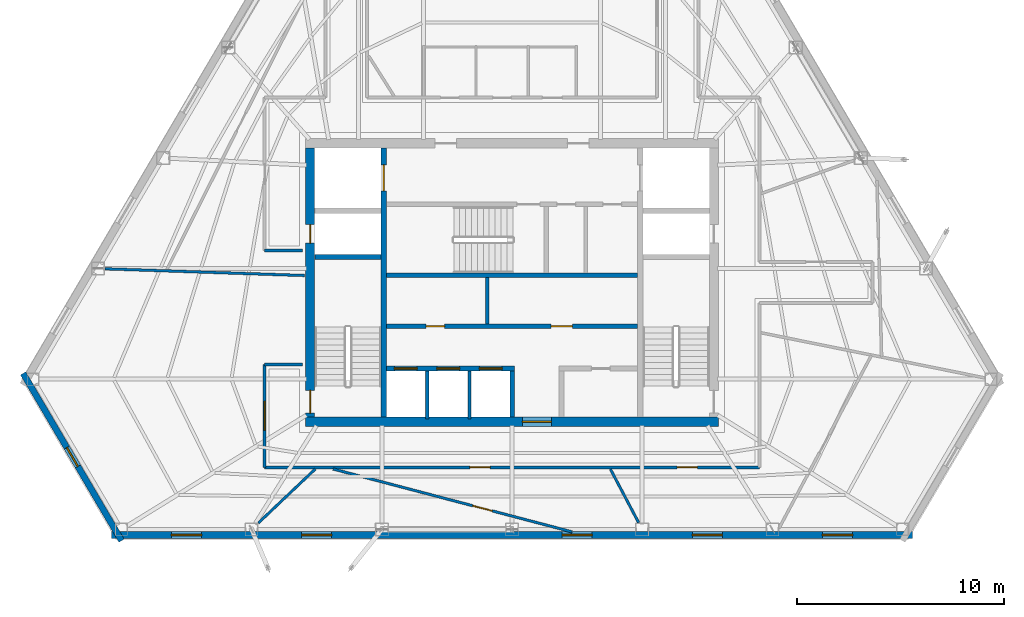
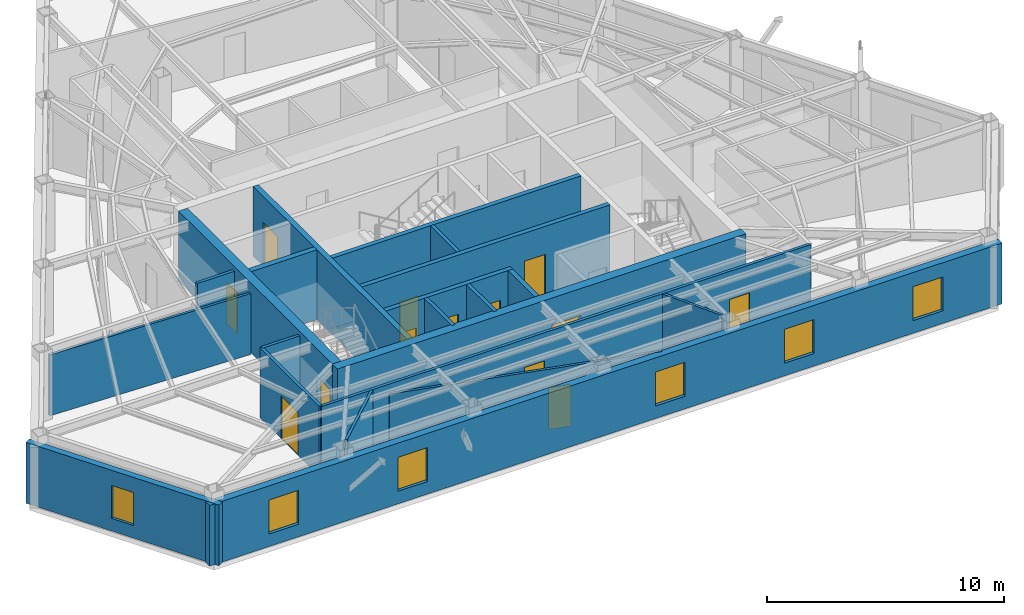
# One storey, part 7 of 12: 21 walls, 13 doors, 6 windows, 19 openings.
"""IFC4 building model written with IfcOpenShell, lengths in metres."""

from ifc_helpers import new_model, si_unit, direction, frame, frame_2d, origin, place, context, subcontext, project, spatial, rectangle, extrude, material, layer, layer_set, type_object, element, fill, save


model = new_model("IFC4")

# Units and contexts
model_context = context("Model", 3, precision=1e-05, world=origin(), true_north=direction((0.0, 1.0)))
body_context = subcontext(model_context, "Body", "Model", "MODEL_VIEW")
ifc_project = project(units=[si_unit("LENGTHUNIT", "METRE"), si_unit("AREAUNIT", "SQUARE_METRE"), si_unit("VOLUMEUNIT", "CUBIC_METRE"), si_unit("PLANEANGLEUNIT", "RADIAN"), si_unit("MASSUNIT", "GRAM", prefix="KILO")], contexts=[model_context])

# Site, building, storey
site_placement = place(None, origin())
site = spatial("IfcSite", under=ifc_project, at=site_placement, CompositionType="ELEMENT")
building_placement = place(site_placement, origin())
building = spatial("IfcBuilding", under=site, at=building_placement, Name="Kavelnor Concourse Tower", CompositionType="ELEMENT")
storey_placement = place(building_placement, frame((0.0, 0.0, 203.5)))
storey = spatial("IfcBuildingStorey", under=building, at=storey_placement, Name="L51", CompositionType="ELEMENT", Elevation=203.5)

# Wall, opening, door
ifc_material_1 = material(Name="Concrete C50/60", Category="concrete")
ifc_layer_1 = layer(ifc_material_1, 0.43994140625, Name="Concrete C50/60")
ifc_layer_set_1 = layer_set([ifc_layer_1], Name="Concrete C50/60")
wall_type_1 = type_object("IfcWallType", Name="WL-CORE-Z3-440", PredefinedType="SOLIDWALL", material=ifc_layer_set_1)
wall_1_placement = place(storey_placement, frame((28.0400390625, 9.3798828125, 0.0), z_axis=(0.0, 0.0, 1.0), x_axis=(1.0, 0.0, 0.0)))
wall_1 = element("IfcWall", 1, at=wall_1_placement, inside=storey, type_object=wall_type_1, Name="L51 Central Core South Shear Wall", PredefinedType="SOLIDWALL", context=body_context, shape_type="SweptSolid", body=[
    extrude(rectangle(XDim=19.919921875, YDim=0.43994140625, at=frame_2d((9.9599609375, 0.0))), origin(), (0.0, 0.0, 1.0), 3.60009765625),
])
opening_1_placement = place(wall_1_placement, frame((10.4599609375, 0.0, 0.0)))
opening_1 = element("IfcOpeningElement", 2, at=opening_1_placement, cuts=wall_1, Name="Opening SD-140", PredefinedType="OPENING", context=body_context, shape_type="SweptSolid", body=[
    extrude(rectangle(XDim=1.39990234375, YDim=2.199951171875, at=frame_2d((0.699951171875, 1.10009765625))), frame((0.0, 0.22998046875, 0.0), z_axis=(0.0, -1.0, 0.0), x_axis=(1.0, 0.0, 0.0)), (0.0, 0.0, 1.0), 0.4599609375),
])
ifc_material_2 = material(Name="Solid-core hardwood timber", Category="wood")
door_type_1 = type_object("IfcDoorType", Name="DR-SUITE-ENTRY-1400", OperationType="NOTDEFINED", PredefinedType="DOOR", material=ifc_material_2)
door_1_placement = place(opening_1_placement, origin())
door_1 = element("IfcDoor", 3, at=door_1_placement, inside=storey, type_object=door_type_1, Name="L51 Passenger Lift Lobby Entry Door", OperationType="SINGLE_SWING_RIGHT", OverallHeight=2.199951171875, OverallWidth=1.39990234375, PredefinedType="DOOR", context=body_context, shape_type="SweptSolid", body=[
    extrude(rectangle(XDim=1.39990234375, YDim=2.199951171875, at=frame_2d((0.699951171875, 1.10009765625))), frame((0.0, 0.02490234375, 0.0), z_axis=(0.0, -1.0, 0.0), x_axis=(1.0, 0.0, 0.0)), (0.0, 0.0, 1.0), 0.050048828125),
])
fill(opening_1, door_1)

# Wall, openings, doors
wall_2_placement = place(storey_placement, frame((28.260009765625, 9.60009765625, 0.0), z_axis=(0.0, 0.0, 1.0), x_axis=(0.0, 1.0, 0.0)))
wall_2 = element("IfcWall", 4, at=wall_2_placement, inside=storey, type_object=wall_type_1, Name="L51 Central Core West Shear Wall", PredefinedType="SOLIDWALL", context=body_context, shape_type="SweptSolid", body=[
    extrude(rectangle(XDim=13.0, YDim=0.43994140625, at=frame_2d((6.5, 0.0))), origin(), (0.0, 0.0, 1.0), 3.60009765625),
])
opening_2_placement = place(wall_2_placement, frame((0.199951171875, 0.0, 0.0)))
opening_2 = element("IfcOpeningElement", 5, at=opening_2_placement, cuts=wall_2, Name="Opening FD-110", PredefinedType="OPENING", context=body_context, shape_type="SweptSolid", body=[
    extrude(rectangle(XDim=1.10009765625, YDim=2.14990234375, at=frame_2d((0.550048828125, 1.074951171875))), frame((0.0, 0.22998046875, 0.0), z_axis=(0.0, -1.0, 0.0), x_axis=(1.0, 0.0, 0.0)), (0.0, 0.0, 1.0), 0.4599609375),
])
opening_3_placement = place(wall_2_placement, frame((8.39990234375, 0.0, 0.0)))
opening_3 = element("IfcOpeningElement", 6, at=opening_3_placement, cuts=wall_2, Name="Opening FD-090", PredefinedType="OPENING", context=body_context, shape_type="SweptSolid", body=[
    extrude(rectangle(XDim=0.89990234375, YDim=2.10009765625, at=frame_2d((0.449951171875, 1.050048828125))), frame((0.0, 0.22998046875, 0.0), z_axis=(0.0, -1.0, 0.0), x_axis=(1.0, 0.0, 0.0)), (0.0, 0.0, 1.0), 0.4599609375),
])
ifc_material_3 = material(Name="Steel Grade 350", Category="steel")
door_type_2 = type_object("IfcDoorType", Name="DR-RISER-FIRE-900", OperationType="NOTDEFINED", PredefinedType="DOOR", material=ifc_material_3)
door_2_placement = place(opening_3_placement, origin())
door_2 = element("IfcDoor", 7, at=door_2_placement, inside=storey, type_object=door_type_2, Name="L51 West Riser Access Door", OperationType="SINGLE_SWING_RIGHT", OverallHeight=2.10009765625, OverallWidth=0.89990234375, PredefinedType="DOOR", context=body_context, shape_type="SweptSolid", body=[
    extrude(rectangle(XDim=0.89990234375, YDim=2.10009765625, at=frame_2d((0.449951171875, 1.050048828125))), frame((0.0, 0.02490234375, 0.0), z_axis=(0.0, -1.0, 0.0), x_axis=(1.0, 0.0, 0.0)), (0.0, 0.0, 1.0), 0.050048828125),
])
fill(opening_3, door_2)
door_type_3 = type_object("IfcDoorType", Name="DR-STAIR-FIRE-1100", OperationType="NOTDEFINED", PredefinedType="DOOR", material=ifc_material_3)
door_3_placement = place(opening_2_placement, origin())
door_3 = element("IfcDoor", 8, at=door_3_placement, inside=storey, type_object=door_type_3, Name="L51 Stair ST1 Fire Door", OperationType="SINGLE_SWING_LEFT", OverallHeight=2.14990234375, OverallWidth=1.10009765625, PredefinedType="DOOR", context=body_context, shape_type="SweptSolid", body=[
    extrude(rectangle(XDim=1.10009765625, YDim=2.14990234375, at=frame_2d((0.550048828125, 1.074951171875))), frame((0.0, 0.02490234375, 0.0), z_axis=(0.0, -1.0, 0.0), x_axis=(1.0, 0.0, 0.0)), (0.0, 0.0, 1.0), 0.050048828125),
])
fill(opening_2, door_3)

# Wall, opening, window
ifc_material_4 = material(Name="Buff ironspot clay face brick masonry", Category="masonry")
ifc_layer_2 = layer(ifc_material_4, 0.300048828125, Name="Buff ironspot clay face brick masonry")
ifc_layer_set_2 = layer_set([ifc_layer_2], Name="Buff ironspot clay face brick masonry")
wall_type_2 = type_object("IfcWallType", Name="WL-EXT-BUFF-BRICK-FOLD-300", PredefinedType="STANDARD", material=ifc_layer_set_2)
wall_3_placement = place(storey_placement, frame((19.156982421875, 3.639404296875, 0.0), z_axis=(0.0, 0.0, 1.0), x_axis=(-0.507146520789, 0.861859853138, 0.0)))
wall_3 = element("IfcWall", 9, at=wall_3_placement, inside=storey, type_object=wall_type_2, Name="L51 Exterior Brick Facade Wall E2", PredefinedType="STANDARD", context=body_context, shape_type="SweptSolid", body=[
    extrude(rectangle(XDim=9.369384765625, YDim=0.300048828125, at=frame_2d((4.6845703125, 0.0))), origin(), (0.0, 0.0, 1.0), 3.132080078125),
])
opening_4_placement = place(wall_3_placement, frame((4.159912109375, 0.0, 0.64990234375)))
opening_4 = element("IfcOpeningElement", 10, at=opening_4_placement, cuts=wall_3, Name="Opening W-06", PredefinedType="OPENING", context=body_context, shape_type="SweptSolid", body=[
    extrude(rectangle(XDim=1.050048828125, YDim=1.699951171875, at=frame_2d((0.52490234375, 0.85009765625))), frame((0.0, 0.16015625, 0.0), z_axis=(0.0, -1.0, 0.0), x_axis=(1.0, 0.0, 0.0)), (0.0, 0.0, 1.0), 0.320068359375),
])
ifc_material_5 = material(Name="Double low-E argon insulated glazing", Category="glass")
window_type_1 = type_object("IfcWindowType", Name="WIN-FOLD-1050", PartitioningType="SINGLE_PANEL", PredefinedType="WINDOW", material=ifc_material_5)
window_1_placement = place(opening_4_placement, origin())
window_1 = element("IfcWindow", 11, at=window_1_placement, inside=storey, type_object=window_type_1, Name="L51 Chamfer-Fold Facet Window C1", OverallHeight=1.699951171875, OverallWidth=1.050048828125, PartitioningType="SINGLE_PANEL", PredefinedType="WINDOW", context=body_context, shape_type="SweptSolid", body=[
    extrude(rectangle(XDim=1.050048828125, YDim=1.699951171875, at=frame_2d((0.52490234375, 0.85009765625))), frame((0.0, 0.030029296875, 0.0), z_axis=(0.0, -1.0, 0.0), x_axis=(1.0, 0.0, 0.0)), (0.0, 0.0, 1.0), 0.06005859375),
])
fill(opening_4, window_1)

# Wall, openings, windows
ifc_material_6 = material(Name="Red-ochre clay face brick masonry", Category="masonry")
ifc_layer_3 = layer(ifc_material_6, 0.35009765625, Name="Red-ochre clay face brick masonry")
ifc_layer_set_3 = layer_set([ifc_layer_3], Name="Red-ochre clay face brick masonry")
wall_type_3 = type_object("IfcWallType", Name="WL-EXT-RED-BRICK-PIER-350", PredefinedType="STANDARD", material=ifc_layer_set_3)
wall_4_placement = place(storey_placement, frame((57.325439453125, 3.915283203125, 0.0), z_axis=(0.0, 0.0, 1.0), x_axis=(-1.0, 0.0, 0.0)))
wall_4 = element("IfcWall", 12, at=wall_4_placement, inside=storey, type_object=wall_type_3, Name="L51 Exterior Brick Facade Wall E3", PredefinedType="STANDARD", context=body_context, shape_type="SweptSolid", body=[
    extrude(rectangle(XDim=38.65087890625, YDim=0.35009765625, at=frame_2d((19.325439453125, 0.0))), origin(), (0.0, 0.0, 1.0), 3.132080078125),
])
opening_5_placement = place(wall_4_placement, frame((34.3095703125, 0.0, 0.64990234375)))
opening_5 = element("IfcOpeningElement", 13, at=opening_5_placement, cuts=wall_4, Name="Opening W-03", PredefinedType="OPENING", context=body_context, shape_type="SweptSolid", body=[
    extrude(rectangle(XDim=1.449951171875, YDim=1.75, at=frame_2d((0.72509765625, 0.875))), frame((0.0, 0.18505859375, 0.0), z_axis=(0.0, -1.0, 0.0), x_axis=(1.0, 0.0, 0.0)), (0.0, 0.0, 1.0), 0.3701171875),
])
opening_6_placement = place(wall_4_placement, frame((28.02587890625, 0.0, 0.64990234375)))
opening_6 = element("IfcOpeningElement", 14, at=opening_6_placement, cuts=wall_4, Name="Opening W-03", PredefinedType="OPENING", context=body_context, shape_type="SweptSolid", body=[
    extrude(rectangle(XDim=1.449951171875, YDim=1.75, at=frame_2d((0.72509765625, 0.875))), frame((0.0, 0.18505859375, 0.0), z_axis=(0.0, -1.0, 0.0), x_axis=(1.0, 0.0, 0.0)), (0.0, 0.0, 1.0), 0.3701171875),
])
opening_7_placement = place(wall_4_placement, frame((15.45849609375, 0.0, 0.64990234375)))
opening_7 = element("IfcOpeningElement", 15, at=opening_7_placement, cuts=wall_4, Name="Opening W-03", PredefinedType="OPENING", context=body_context, shape_type="SweptSolid", body=[
    extrude(rectangle(XDim=1.449951171875, YDim=1.75, at=frame_2d((0.72509765625, 0.875))), frame((0.0, 0.18505859375, 0.0), z_axis=(0.0, -1.0, 0.0), x_axis=(1.0, 0.0, 0.0)), (0.0, 0.0, 1.0), 0.3701171875),
])
opening_8_placement = place(wall_4_placement, frame((9.175048828125, 0.0, 0.64990234375)))
opening_8 = element("IfcOpeningElement", 16, at=opening_8_placement, cuts=wall_4, Name="Opening W-03", PredefinedType="OPENING", context=body_context, shape_type="SweptSolid", body=[
    extrude(rectangle(XDim=1.449951171875, YDim=1.75, at=frame_2d((0.72509765625, 0.875))), frame((0.0, 0.18505859375, 0.0), z_axis=(0.0, -1.0, 0.0), x_axis=(1.0, 0.0, 0.0)), (0.0, 0.0, 1.0), 0.3701171875),
])
opening_9_placement = place(wall_4_placement, frame((2.891357421875, 0.0, 0.64990234375)))
opening_9 = element("IfcOpeningElement", 17, at=opening_9_placement, cuts=wall_4, Name="Opening W-03", PredefinedType="OPENING", context=body_context, shape_type="SweptSolid", body=[
    extrude(rectangle(XDim=1.449951171875, YDim=1.75, at=frame_2d((0.72509765625, 0.875))), frame((0.0, 0.18505859375, 0.0), z_axis=(0.0, -1.0, 0.0), x_axis=(1.0, 0.0, 0.0)), (0.0, 0.0, 1.0), 0.3701171875),
])
window_type_2 = type_object("IfcWindowType", Name="WIN-PIER-Z3-1500", PartitioningType="SINGLE_PANEL", PredefinedType="WINDOW", material=ifc_material_5)
window_2_placement = place(opening_5_placement, origin())
window_2 = element("IfcWindow", 18, at=window_2_placement, inside=storey, type_object=window_type_2, Name="L51 Deep-Set Brick Pier Window F1-B0", OverallHeight=1.75, OverallWidth=1.449951171875, PartitioningType="SINGLE_PANEL", PredefinedType="WINDOW", context=body_context, shape_type="SweptSolid", body=[
    extrude(rectangle(XDim=1.449951171875, YDim=1.75, at=frame_2d((0.72509765625, 0.875))), frame((0.0, 0.030029296875, 0.0), z_axis=(0.0, -1.0, 0.0), x_axis=(1.0, 0.0, 0.0)), (0.0, 0.0, 1.0), 0.06005859375),
])
fill(opening_5, window_2)
window_3_placement = place(opening_6_placement, origin())
window_3 = element("IfcWindow", 19, at=window_3_placement, inside=storey, type_object=window_type_2, Name="L51 Deep-Set Brick Pier Window F1-B1", OverallHeight=1.75, OverallWidth=1.449951171875, PartitioningType="SINGLE_PANEL", PredefinedType="WINDOW", context=body_context, shape_type="SweptSolid", body=[
    extrude(rectangle(XDim=1.449951171875, YDim=1.75, at=frame_2d((0.72509765625, 0.875))), frame((0.0, 0.030029296875, 0.0), z_axis=(0.0, -1.0, 0.0), x_axis=(1.0, 0.0, 0.0)), (0.0, 0.0, 1.0), 0.06005859375),
])
fill(opening_6, window_3)
window_4_placement = place(opening_7_placement, origin())
window_4 = element("IfcWindow", 20, at=window_4_placement, inside=storey, type_object=window_type_2, Name="L51 Deep-Set Brick Pier Window F1-B3", OverallHeight=1.75, OverallWidth=1.449951171875, PartitioningType="SINGLE_PANEL", PredefinedType="WINDOW", context=body_context, shape_type="SweptSolid", body=[
    extrude(rectangle(XDim=1.449951171875, YDim=1.75, at=frame_2d((0.72509765625, 0.875))), frame((0.0, 0.030029296875, 0.0), z_axis=(0.0, -1.0, 0.0), x_axis=(1.0, 0.0, 0.0)), (0.0, 0.0, 1.0), 0.06005859375),
])
fill(opening_7, window_4)
window_5_placement = place(opening_8_placement, origin())
window_5 = element("IfcWindow", 21, at=window_5_placement, inside=storey, type_object=window_type_2, Name="L51 Deep-Set Brick Pier Window F1-B4", OverallHeight=1.75, OverallWidth=1.449951171875, PartitioningType="SINGLE_PANEL", PredefinedType="WINDOW", context=body_context, shape_type="SweptSolid", body=[
    extrude(rectangle(XDim=1.449951171875, YDim=1.75, at=frame_2d((0.72509765625, 0.875))), frame((0.0, 0.030029296875, 0.0), z_axis=(0.0, -1.0, 0.0), x_axis=(1.0, 0.0, 0.0)), (0.0, 0.0, 1.0), 0.06005859375),
])
fill(opening_8, window_5)
window_6_placement = place(opening_9_placement, origin())
window_6 = element("IfcWindow", 22, at=window_6_placement, inside=storey, type_object=window_type_2, Name="L51 Deep-Set Brick Pier Window F1-B5", OverallHeight=1.75, OverallWidth=1.449951171875, PartitioningType="SINGLE_PANEL", PredefinedType="WINDOW", context=body_context, shape_type="SweptSolid", body=[
    extrude(rectangle(XDim=1.449951171875, YDim=1.75, at=frame_2d((0.72509765625, 0.875))), frame((0.0, 0.030029296875, 0.0), z_axis=(0.0, -1.0, 0.0), x_axis=(1.0, 0.0, 0.0)), (0.0, 0.0, 1.0), 0.06005859375),
])
fill(opening_9, window_6)

# Wall
ifc_material_7 = material(Name="Gypsum plasterboard on light-gauge steel studs", Category="steel")
ifc_layer_4 = layer(ifc_material_7, 0.14501953125, Name="Gypsum plasterboard on light-gauge steel studs")
ifc_layer_set_4 = layer_set([ifc_layer_4], Name="Gypsum plasterboard on light-gauge steel studs")
wall_type_4 = type_object("IfcWallType", Name="WL-INT-CORR-145", PredefinedType="PARTITIONING", material=ifc_layer_set_4)
wall_5_placement = place(storey_placement, frame((27.8798828125, 17.64990234375, 0.0), z_axis=(0.0, 0.0, 1.0), x_axis=(-1.0, 0.0, 0.0)))
element("IfcWall", 23, at=wall_5_placement, inside=storey, type_object=wall_type_4, Name="L51 Corridor Wall WL-L51-CR-01", PredefinedType="PARTITIONING", context=body_context, shape_type="SweptSolid", body=[
    extrude(rectangle(XDim=1.81982421875, YDim=0.14501953125, at=frame_2d((0.909912109375, 0.0))), origin(), (0.0, 0.0, 1.0), 3.60009765625),
])

# Wall, openings, doors
wall_6_placement = place(storey_placement, frame((49.93994140625, 7.179931640625, 0.0), z_axis=(0.0, 0.0, 1.0), x_axis=(-1.0, 0.0, 0.0)))
wall_6 = element("IfcWall", 24, at=wall_6_placement, inside=storey, type_object=wall_type_4, Name="L51 Corridor Wall WL-L51-CR-17", PredefinedType="PARTITIONING", context=body_context, shape_type="SweptSolid", body=[
    extrude(rectangle(XDim=23.8798828125, YDim=0.14501953125, at=frame_2d((11.93994140625, 0.0))), origin(), (0.0, 0.0, 1.0), 3.60009765625),
])
opening_10_placement = place(wall_6_placement, frame((12.9951171875, 0.0, 0.0)))
opening_10 = element("IfcOpeningElement", 25, at=opening_10_placement, cuts=wall_6, Name="Opening OD-098", PredefinedType="OPENING", context=body_context, shape_type="SweptSolid", body=[
    extrude(rectangle(XDim=0.97998046875, YDim=2.14990234375, at=frame_2d((0.489990234375, 1.074951171875))), frame((0.0, 0.08251953125, 0.0), z_axis=(0.0, -1.0, 0.0), x_axis=(1.0, 0.0, 0.0)), (0.0, 0.0, 1.0), 0.1650390625),
])
opening_11_placement = place(wall_6_placement, frame((2.99072265625, 0.0, 0.0)))
opening_11 = element("IfcOpeningElement", 26, at=opening_11_placement, cuts=wall_6, Name="Opening OD-098", PredefinedType="OPENING", context=body_context, shape_type="SweptSolid", body=[
    extrude(rectangle(XDim=0.97998046875, YDim=2.14990234375, at=frame_2d((0.489990234375, 1.074951171875))), frame((0.0, 0.08251953125, 0.0), z_axis=(0.0, -1.0, 0.0), x_axis=(1.0, 0.0, 0.0)), (0.0, 0.0, 1.0), 0.1650390625),
])
door_type_4 = type_object("IfcDoorType", Name="DR-OFFICE-980", OperationType="NOTDEFINED", PredefinedType="DOOR", material=ifc_material_2)
door_4_placement = place(opening_10_placement, origin())
door_4 = element("IfcDoor", 27, at=door_4_placement, inside=storey, type_object=door_type_4, Name="L51 Workplace Open Office 08 Door", OperationType="SINGLE_SWING_RIGHT", OverallHeight=2.14990234375, OverallWidth=0.97998046875, PredefinedType="DOOR", context=body_context, shape_type="SweptSolid", body=[
    extrude(rectangle(XDim=0.97998046875, YDim=2.14990234375, at=frame_2d((0.489990234375, 1.074951171875))), frame((0.0, 0.02490234375, 0.0), z_axis=(0.0, -1.0, 0.0), x_axis=(1.0, 0.0, 0.0)), (0.0, 0.0, 1.0), 0.050048828125),
])
fill(opening_10, door_4)
door_5_placement = place(opening_11_placement, origin())
door_5 = element("IfcDoor", 28, at=door_5_placement, inside=storey, type_object=door_type_4, Name="L51 Technical Reference Library 10 Door", OperationType="SINGLE_SWING_RIGHT", OverallHeight=2.14990234375, OverallWidth=0.97998046875, PredefinedType="DOOR", context=body_context, shape_type="SweptSolid", body=[
    extrude(rectangle(XDim=0.97998046875, YDim=2.14990234375, at=frame_2d((0.489990234375, 1.074951171875))), frame((0.0, 0.02490234375, 0.0), z_axis=(0.0, -1.0, 0.0), x_axis=(1.0, 0.0, 0.0)), (0.0, 0.0, 1.0), 0.050048828125),
])
fill(opening_11, door_5)

# Wall, opening, door
wall_7_placement = place(storey_placement, frame((26.06005859375, 7.179931640625, 0.0), z_axis=(0.0, 0.0, 1.0), x_axis=(0.0, 1.0, 0.0)))
wall_7 = element("IfcWall", 29, at=wall_7_placement, inside=storey, type_object=wall_type_4, Name="L51 Corridor Wall WL-L51-CR-18", PredefinedType="PARTITIONING", context=body_context, shape_type="SweptSolid", body=[
    extrude(rectangle(XDim=4.969970703125, YDim=0.14501953125, at=frame_2d((2.48486328125, 0.0))), origin(), (0.0, 0.0, 1.0), 3.60009765625),
])
opening_12_placement = place(wall_7_placement, frame((1.784912109375, 0.0, 0.0)))
opening_12 = element("IfcOpeningElement", 30, at=opening_12_placement, cuts=wall_7, Name="Opening SD-140", PredefinedType="OPENING", context=body_context, shape_type="SweptSolid", body=[
    extrude(rectangle(XDim=1.39990234375, YDim=2.199951171875, at=frame_2d((0.699951171875, 1.10009765625))), frame((0.0, 0.08251953125, 0.0), z_axis=(0.0, -1.0, 0.0), x_axis=(1.0, 0.0, 0.0)), (0.0, 0.0, 1.0), 0.1650390625),
])
door_6_placement = place(opening_12_placement, origin())
door_6 = element("IfcDoor", 31, at=door_6_placement, inside=storey, type_object=door_type_1, Name="L51 Client Concierge 07 Door", OperationType="SINGLE_SWING_LEFT", OverallHeight=2.199951171875, OverallWidth=1.39990234375, PredefinedType="DOOR", context=body_context, shape_type="SweptSolid", body=[
    extrude(rectangle(XDim=1.39990234375, YDim=2.199951171875, at=frame_2d((0.699951171875, 1.10009765625))), frame((0.0, 0.02490234375, 0.0), z_axis=(0.0, -1.0, 0.0), x_axis=(1.0, 0.0, 0.0)), (0.0, 0.0, 1.0), 0.050048828125),
])
fill(opening_12, door_6)

# Walls
wall_8_placement = place(storey_placement, frame((26.06005859375, 12.14990234375, 0.0), z_axis=(0.0, 0.0, 1.0), x_axis=(1.0, 0.0, 0.0)))
element("IfcWall", 32, at=wall_8_placement, inside=storey, type_object=wall_type_4, Name="L51 Corridor Wall WL-L51-CR-19", PredefinedType="PARTITIONING", context=body_context, shape_type="SweptSolid", body=[
    extrude(rectangle(XDim=1.81982421875, YDim=0.14501953125, at=frame_2d((0.909912109375, 0.0))), origin(), (0.0, 0.0, 1.0), 3.60009765625),
])
ifc_layer_5 = layer(ifc_material_7, 0.1650390625, Name="Gypsum plasterboard on light-gauge steel studs")
ifc_layer_set_5 = layer_set([ifc_layer_5], Name="Gypsum plasterboard on light-gauge steel studs")
wall_type_5 = type_object("IfcWallType", Name="WL-INT-FIRE-165", PredefinedType="PARTITIONING", material=ifc_layer_set_5)
for number, where, z_axis, x_axis, name in (
    (33, (33.89990234375, 9.52001953125, 0.0), (0.0, 0.0, 1.0), (0.0, 1.0, 0.0), "L51 Lift Shaft Divider LP7"),
    (34, (35.949951171875, 9.52001953125, 0.0), (0.0, 0.0, 1.0), (0.0, 1.0, 0.0), "L51 Lift Shaft Divider LP8"),
):
    element("IfcWall", number, at=place(storey_placement, frame(where, z_axis=z_axis, x_axis=x_axis)), inside=storey, type_object=wall_type_5, Name=name, PredefinedType="PARTITIONING", context=body_context, shape_type="SweptSolid", body=[
        extrude(rectangle(XDim=2.320068359375, YDim=0.1650390625, at=frame_2d((1.16015625, 0.0))), origin(), (0.0, 0.0, 1.0), 3.60009765625),
    ])
wall_9_placement = place(storey_placement, frame((36.800048828125, 14.10009765625, 0.0), z_axis=(0.0, 0.0, 1.0), x_axis=(0.0, 1.0, 0.0)))
element("IfcWall", 35, at=wall_9_placement, inside=storey, type_object=wall_type_5, Name="L51 Reclaimed Core Partition A", PredefinedType="PARTITIONING", context=body_context, shape_type="SweptSolid", body=[
    extrude(rectangle(XDim=2.239990234375, YDim=0.1650390625, at=frame_2d((1.1201171875, 0.0))), origin(), (0.0, 0.0, 1.0), 3.60009765625),
])
ifc_layer_6 = layer(ifc_material_7, 0.125, Name="Gypsum plasterboard on light-gauge steel studs")
ifc_layer_set_6 = layer_set([ifc_layer_6], Name="Gypsum plasterboard on light-gauge steel studs")
wall_type_6 = type_object("IfcWallType", Name="WL-INT-SUITE-125", PredefinedType="PARTITIONING", material=ifc_layer_set_6)
wall_10_placement = place(storey_placement, frame((27.97998046875, 16.4375, 0.0), z_axis=(0.0, 0.0, 1.0), x_axis=(-0.999433600002, 0.033652328114, 0.0)))
element("IfcWall", 36, at=wall_10_placement, inside=storey, type_object=wall_type_6, Name="L51 Radial Suite Partition 03", PredefinedType="PARTITIONING", context=body_context, shape_type="SweptSolid", body=[
    extrude(rectangle(XDim=9.63427734375, YDim=0.125, at=frame_2d((4.817138671875, 0.0))), origin(), (0.0, 0.0, 1.0), 3.14111328125),
])
wall_11_placement = place(storey_placement, frame((28.506591796875, 7.099609375, 0.0), z_axis=(0.0, 0.0, 1.0), x_axis=(-0.725696611607, -0.688014845698, 0.0)))
element("IfcWall", 37, at=wall_11_placement, inside=storey, type_object=wall_type_6, Name="L51 Radial Suite Partition 04", PredefinedType="PARTITIONING", context=body_context, shape_type="SweptSolid", body=[
    extrude(rectangle(XDim=3.78369140625, YDim=0.125, at=frame_2d((1.891845703125, 0.0))), origin(), (0.0, 0.0, 1.0), 3.60009765625),
])
wall_12_placement = place(storey_placement, frame((42.74658203125, 7.099609375, 0.0), z_axis=(0.0, 0.0, 1.0), x_axis=(0.466479242613, -0.88453214538, 0.0)))
element("IfcWall", 38, at=wall_12_placement, inside=storey, type_object=wall_type_6, Name="L51 Radial Suite Partition 05", PredefinedType="PARTITIONING", context=body_context, shape_type="SweptSolid", body=[
    extrude(rectangle(XDim=2.924072265625, YDim=0.125, at=frame_2d((1.4619140625, 0.0))), origin(), (0.0, 0.0, 1.0), 3.60009765625),
])

# Wall, opening, door
wall_13_placement = place(storey_placement, frame((29.36328125, 7.099609375, 0.0), z_axis=(0.0, 0.0, 1.0), x_axis=(0.967094155668, -0.254418737661, 0.0)))
wall_13 = element("IfcWall", 39, at=wall_13_placement, inside=storey, type_object=wall_type_6, Name="L51 Suite Subdivision Partition 05", PredefinedType="PARTITIONING", context=body_context, shape_type="SweptSolid", body=[
    extrude(rectangle(XDim=11.927001953125, YDim=0.125, at=frame_2d((5.96337890625, 0.0))), origin(), (0.0, 0.0, 1.0), 3.135009765625),
])
opening_13_placement = place(wall_13_placement, frame((6.96630859375, 0.0, 0.0)))
opening_13 = element("IfcOpeningElement", 40, at=opening_13_placement, cuts=wall_13, Name="Opening OD-098", PredefinedType="OPENING", context=body_context, shape_type="SweptSolid", body=[
    extrude(rectangle(XDim=0.97998046875, YDim=2.14990234375, at=frame_2d((0.489990234375, 1.074951171875))), frame((0.0, 0.072509765625, 0.0), z_axis=(0.0, -1.0, 0.0), x_axis=(1.0, 0.0, 0.0)), (0.0, 0.0, 1.0), 0.14501953125),
])
door_7_placement = place(opening_13_placement, origin())
door_7 = element("IfcDoor", 41, at=door_7_placement, inside=storey, type_object=door_type_4, Name="L51 Client Concierge 09 Door", OperationType="SINGLE_SWING_LEFT", OverallHeight=2.14990234375, OverallWidth=0.97998046875, PredefinedType="DOOR", context=body_context, shape_type="SweptSolid", body=[
    extrude(rectangle(XDim=0.97998046875, YDim=2.14990234375, at=frame_2d((0.489990234375, 1.074951171875))), frame((0.0, 0.02490234375, 0.0), z_axis=(0.0, -1.0, 0.0), x_axis=(1.0, 0.0, 0.0)), (0.0, 0.0, 1.0), 0.050048828125),
])
fill(opening_13, door_7)

# Wall
ifc_layer_7 = layer(ifc_material_1, 0.219970703125, Name="Concrete C50/60")
ifc_layer_set_7 = layer_set([ifc_layer_7], Name="Concrete C50/60")
wall_type_7 = type_object("IfcWallType", Name="WL-SHAFT-220", PredefinedType="SOLIDWALL", material=ifc_layer_set_7)
wall_14_placement = place(storey_placement, frame((31.93994140625, 16.449951171875, 0.0), z_axis=(0.0, 0.0, 1.0), x_axis=(1.0, 0.0, 0.0)))
element("IfcWall", 42, at=wall_14_placement, inside=storey, type_object=wall_type_7, Name="L51 Stair ST3 South Core Wall", PredefinedType="SOLIDWALL", context=body_context, shape_type="SweptSolid", body=[
    extrude(rectangle(XDim=12.1201171875, YDim=0.219970703125, at=frame_2d((6.06005859375, 0.0))), origin(), (0.0, 0.0, 1.0), 3.60009765625),
])

# Wall, openings, doors
wall_15_placement = place(storey_placement, frame((31.93994140625, 13.989990234375, 0.0), z_axis=(0.0, 0.0, 1.0), x_axis=(1.0, 0.0, 0.0)))
wall_15 = element("IfcWall", 43, at=wall_15_placement, inside=storey, type_object=wall_type_7, Name="L51 North Lift Row Shaft Wall", PredefinedType="SOLIDWALL", context=body_context, shape_type="SweptSolid", body=[
    extrude(rectangle(XDim=12.1201171875, YDim=0.219970703125, at=frame_2d((6.06005859375, 0.0))), origin(), (0.0, 0.0, 1.0), 3.60009765625),
])
opening_14_placement = place(wall_15_placement, frame((1.909912109375, 0.0, 0.0)))
opening_14 = element("IfcOpeningElement", 44, at=opening_14_placement, cuts=wall_15, Name="Opening FD-090", PredefinedType="OPENING", context=body_context, shape_type="SweptSolid", body=[
    extrude(rectangle(XDim=0.89990234375, YDim=2.10009765625, at=frame_2d((0.449951171875, 1.050048828125))), frame((0.0, 0.1201171875, 0.0), z_axis=(0.0, -1.0, 0.0), x_axis=(1.0, 0.0, 0.0)), (0.0, 0.0, 1.0), 0.239990234375),
])
opening_15_placement = place(wall_15_placement, frame((7.949951171875, 0.0, 0.0)))
opening_15 = element("IfcOpeningElement", 45, at=opening_15_placement, cuts=wall_15, Name="Opening MD-102", PredefinedType="OPENING", context=body_context, shape_type="SweptSolid", body=[
    extrude(rectangle(XDim=1.02001953125, YDim=2.14990234375, at=frame_2d((0.510009765625, 1.074951171875))), frame((0.0, 0.1201171875, 0.0), z_axis=(0.0, -1.0, 0.0), x_axis=(1.0, 0.0, 0.0)), (0.0, 0.0, 1.0), 0.239990234375),
])
ifc_material_8 = material(Name="Acoustic glazed timber frame", Category="wood")
door_type_5 = type_object("IfcDoorType", Name="DR-MEETING-1020", OperationType="NOTDEFINED", PredefinedType="DOOR", material=ifc_material_8)
door_8_placement = place(opening_15_placement, origin())
door_8 = element("IfcDoor", 46, at=door_8_placement, inside=storey, type_object=door_type_5, Name="L51 Briefing Room Door", OperationType="SINGLE_SWING_RIGHT", OverallHeight=2.14990234375, OverallWidth=1.02001953125, PredefinedType="DOOR", context=body_context, shape_type="SweptSolid", body=[
    extrude(rectangle(XDim=1.02001953125, YDim=2.14990234375, at=frame_2d((0.510009765625, 1.074951171875))), frame((0.0, 0.02490234375, 0.0), z_axis=(0.0, -1.0, 0.0), x_axis=(1.0, 0.0, 0.0)), (0.0, 0.0, 1.0), 0.050048828125),
])
fill(opening_15, door_8)
door_9_placement = place(opening_14_placement, origin())
door_9 = element("IfcDoor", 47, at=door_9_placement, inside=storey, type_object=door_type_2, Name="L51 IT Room Door", OperationType="SINGLE_SWING_LEFT", OverallHeight=2.10009765625, OverallWidth=0.89990234375, PredefinedType="DOOR", context=body_context, shape_type="SweptSolid", body=[
    extrude(rectangle(XDim=0.89990234375, YDim=2.10009765625, at=frame_2d((0.449951171875, 1.050048828125))), frame((0.0, 0.02490234375, 0.0), z_axis=(0.0, -1.0, 0.0), x_axis=(1.0, 0.0, 0.0)), (0.0, 0.0, 1.0), 0.050048828125),
])
fill(opening_14, door_9)

wall_16_placement = place(storey_placement, frame((31.93994140625, 11.949951171875, 0.0), z_axis=(0.0, 0.0, 1.0), x_axis=(1.0, 0.0, 0.0)))
wall_16 = element("IfcWall", 48, at=wall_16_placement, inside=storey, type_object=wall_type_7, Name="L51 High-Rise Lift Bank North Wall", PredefinedType="SOLIDWALL", context=body_context, shape_type="SweptSolid", body=[
    extrude(rectangle(XDim=6.18994140625, YDim=0.219970703125, at=frame_2d((3.094970703125, 0.0))), origin(), (0.0, 0.0, 1.0), 3.60009765625),
])
opening_16_placement = place(wall_16_placement, frame((0.385009765625, 0.0, 0.0)))
opening_16 = element("IfcOpeningElement", 49, at=opening_16_placement, cuts=wall_16, Name="Opening LD-110", PredefinedType="OPENING", context=body_context, shape_type="SweptSolid", body=[
    extrude(rectangle(XDim=1.10009765625, YDim=2.199951171875, at=frame_2d((0.550048828125, 1.10009765625))), frame((0.0, 0.1201171875, 0.0), z_axis=(0.0, -1.0, 0.0), x_axis=(1.0, 0.0, 0.0)), (0.0, 0.0, 1.0), 0.239990234375),
])
opening_17_placement = place(wall_16_placement, frame((2.43505859375, 0.0, 0.0)))
opening_17 = element("IfcOpeningElement", 50, at=opening_17_placement, cuts=wall_16, Name="Opening LD-110", PredefinedType="OPENING", context=body_context, shape_type="SweptSolid", body=[
    extrude(rectangle(XDim=1.10009765625, YDim=2.199951171875, at=frame_2d((0.550048828125, 1.10009765625))), frame((0.0, 0.1201171875, 0.0), z_axis=(0.0, -1.0, 0.0), x_axis=(1.0, 0.0, 0.0)), (0.0, 0.0, 1.0), 0.239990234375),
])
opening_18_placement = place(wall_16_placement, frame((4.485107421875, 0.0, 0.0)))
opening_18 = element("IfcOpeningElement", 51, at=opening_18_placement, cuts=wall_16, Name="Opening LD-110", PredefinedType="OPENING", context=body_context, shape_type="SweptSolid", body=[
    extrude(rectangle(XDim=1.10009765625, YDim=2.199951171875, at=frame_2d((0.550048828125, 1.10009765625))), frame((0.0, 0.1201171875, 0.0), z_axis=(0.0, -1.0, 0.0), x_axis=(1.0, 0.0, 0.0)), (0.0, 0.0, 1.0), 0.239990234375),
])
door_type_6 = type_object("IfcDoorType", Name="DR-LIFT-SLIDING-1100", OperationType="NOTDEFINED", PredefinedType="DOOR", material=ifc_material_3)
door_10_placement = place(opening_16_placement, origin())
door_10 = element("IfcDoor", 52, at=door_10_placement, inside=storey, type_object=door_type_6, Name="L51 Lift LP7 Landing Door", OperationType="DOUBLE_DOOR_SLIDING", OverallHeight=2.199951171875, OverallWidth=1.10009765625, PredefinedType="DOOR", context=body_context, shape_type="SweptSolid", body=[
    extrude(rectangle(XDim=1.10009765625, YDim=2.199951171875, at=frame_2d((0.550048828125, 1.10009765625))), frame((0.0, 0.02490234375, 0.0), z_axis=(0.0, -1.0, 0.0), x_axis=(1.0, 0.0, 0.0)), (0.0, 0.0, 1.0), 0.050048828125),
])
fill(opening_16, door_10)
door_11_placement = place(opening_17_placement, origin())
door_11 = element("IfcDoor", 53, at=door_11_placement, inside=storey, type_object=door_type_6, Name="L51 Lift LP8 Landing Door", OperationType="DOUBLE_DOOR_SLIDING", OverallHeight=2.199951171875, OverallWidth=1.10009765625, PredefinedType="DOOR", context=body_context, shape_type="SweptSolid", body=[
    extrude(rectangle(XDim=1.10009765625, YDim=2.199951171875, at=frame_2d((0.550048828125, 1.10009765625))), frame((0.0, 0.02490234375, 0.0), z_axis=(0.0, -1.0, 0.0), x_axis=(1.0, 0.0, 0.0)), (0.0, 0.0, 1.0), 0.050048828125),
])
fill(opening_17, door_11)
door_12_placement = place(opening_18_placement, origin())
door_12 = element("IfcDoor", 54, at=door_12_placement, inside=storey, type_object=door_type_6, Name="L51 Lift LP9 Landing Door", OperationType="DOUBLE_DOOR_SLIDING", OverallHeight=2.199951171875, OverallWidth=1.10009765625, PredefinedType="DOOR", context=body_context, shape_type="SweptSolid", body=[
    extrude(rectangle(XDim=1.10009765625, YDim=2.199951171875, at=frame_2d((0.550048828125, 1.10009765625))), frame((0.0, 0.02490234375, 0.0), z_axis=(0.0, -1.0, 0.0), x_axis=(1.0, 0.0, 0.0)), (0.0, 0.0, 1.0), 0.050048828125),
])
fill(opening_18, door_12)

# Wall
wall_17_placement = place(storey_placement, frame((38.02001953125, 9.60009765625, 0.0), z_axis=(0.0, 0.0, 1.0), x_axis=(0.0, 1.0, 0.0)))
element("IfcWall", 55, at=wall_17_placement, inside=storey, type_object=wall_type_7, Name="L51 Lift Lobby Throat West Wall", PredefinedType="SOLIDWALL", context=body_context, shape_type="SweptSolid", body=[
    extrude(rectangle(XDim=2.239990234375, YDim=0.219970703125, at=frame_2d((1.1201171875, 0.0))), origin(), (0.0, 0.0, 1.0), 3.60009765625),
])

# Wall, opening, door
ifc_layer_8 = layer(ifc_material_1, 0.260009765625, Name="Concrete C50/60")
ifc_layer_set_8 = layer_set([ifc_layer_8], Name="Concrete C50/60")
wall_type_8 = type_object("IfcWallType", Name="WL-SHAFT-260", PredefinedType="SHEAR", material=ifc_layer_set_8)
wall_18_placement = place(storey_placement, frame((31.81005859375, 9.60009765625, 0.0), z_axis=(0.0, 0.0, 1.0), x_axis=(0.0, 1.0, 0.0)))
wall_18 = element("IfcWall", 56, at=wall_18_placement, inside=storey, type_object=wall_type_8, Name="L51 Core West Wing Shear Wall", PredefinedType="SHEAR", context=body_context, shape_type="SweptSolid", body=[
    extrude(rectangle(XDim=13.0, YDim=0.260009765625, at=frame_2d((6.5, 0.0))), origin(), (0.0, 0.0, 1.0), 3.60009765625),
])
opening_19_placement = place(wall_18_placement, frame((10.925048828125, 0.0, 0.0)))
opening_19 = element("IfcOpeningElement", 57, at=opening_19_placement, cuts=wall_18, Name="Opening LD-125", PredefinedType="OPENING", context=body_context, shape_type="SweptSolid", body=[
    extrude(rectangle(XDim=1.25, YDim=2.25, at=frame_2d((0.625, 1.125))), frame((0.0, 0.14013671875, 0.0), z_axis=(0.0, -1.0, 0.0), x_axis=(1.0, 0.0, 0.0)), (0.0, 0.0, 1.0), 0.280029296875),
])
door_type_7 = type_object("IfcDoorType", Name="DR-LIFT-SLIDING-1250", OperationType="NOTDEFINED", PredefinedType="DOOR", material=ifc_material_3)
door_13_placement = place(opening_19_placement, origin())
door_13 = element("IfcDoor", 58, at=door_13_placement, inside=storey, type_object=door_type_7, Name="L51 Emergency Lift FL1 Landing Door", OperationType="DOUBLE_DOOR_SLIDING", OverallHeight=2.25, OverallWidth=1.25, PredefinedType="DOOR", context=body_context, shape_type="SweptSolid", body=[
    extrude(rectangle(XDim=1.25, YDim=2.25, at=frame_2d((0.625, 1.125))), frame((0.0, 0.02490234375, 0.0), z_axis=(0.0, -1.0, 0.0), x_axis=(1.0, 0.0, 0.0)), (0.0, 0.0, 1.0), 0.050048828125),
])
fill(opening_19, door_13)

# Wall
wall_19_placement = place(storey_placement, frame((28.47998046875, 17.330078125, 0.0), z_axis=(0.0, 0.0, 1.0), x_axis=(1.0, 0.0, 0.0)))
element("IfcWall", 59, at=wall_19_placement, inside=storey, type_object=wall_type_8, Name="L51 Stair ST1 North Shaft Wall", PredefinedType="SHEAR", context=body_context, shape_type="SweptSolid", body=[
    extrude(rectangle(XDim=3.199951171875, YDim=0.260009765625, at=frame_2d((1.60009765625, 0.0))), origin(), (0.0, 0.0, 1.0), 3.60009765625),
])

save(model, "model.ifc")
